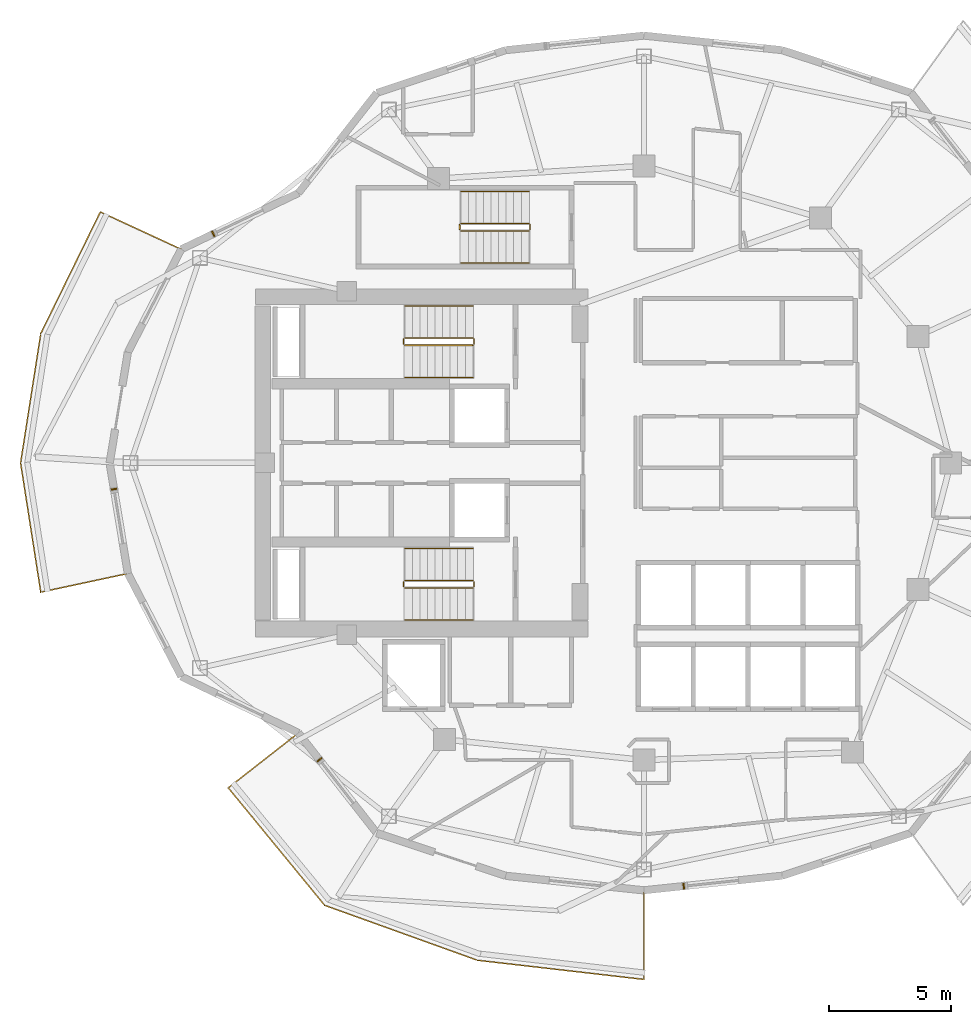
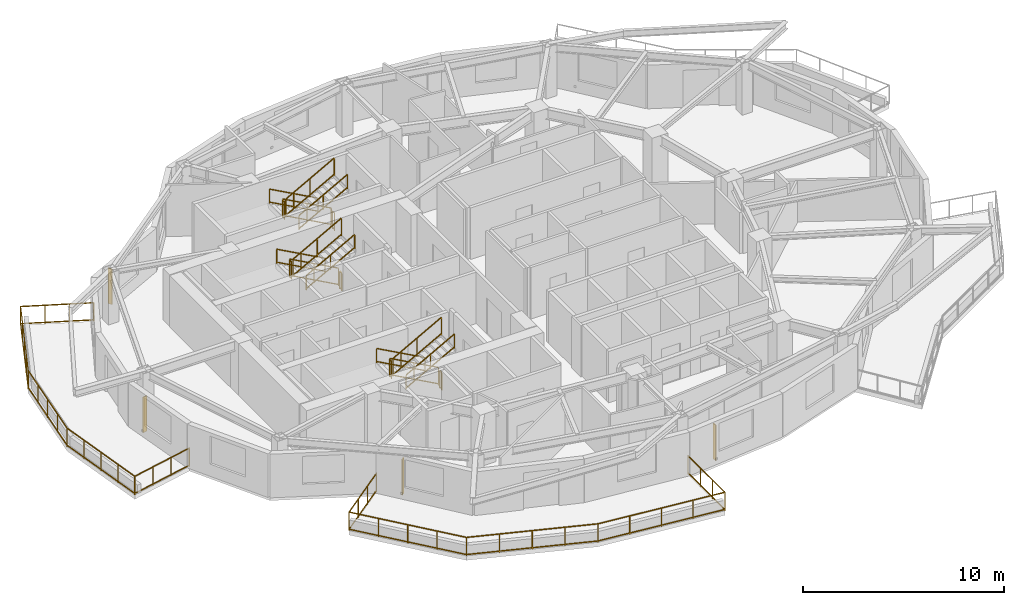
# One storey, part 8 of 10: 20 railings, 4 shading devices.
"""IFC4 building model written with IfcOpenShell, lengths in metres."""

from ifc_helpers import new_model, si_unit, direction, frame, origin, origin_2d, place, context, subcontext, project, spatial, rectangle, extrude, material, type_object, element, save


model = new_model("IFC4")

# Units and contexts
model_context = context("Model", 3, precision=1e-05, world=origin(), true_north=direction((0.0, 1.0)))
body_context = subcontext(model_context, "Body", "Model", "MODEL_VIEW")
ifc_project = project(units=[si_unit("LENGTHUNIT", "METRE"), si_unit("AREAUNIT", "SQUARE_METRE"), si_unit("VOLUMEUNIT", "CUBIC_METRE"), si_unit("PLANEANGLEUNIT", "RADIAN"), si_unit("MASSUNIT", "GRAM", prefix="KILO")], contexts=[model_context])

# Site, building, storey
site_placement = place(None, origin())
site = spatial("IfcSite", under=ifc_project, at=site_placement, CompositionType="ELEMENT")
building_placement = place(site_placement, origin())
building = spatial("IfcBuilding", under=site, at=building_placement, Name="Kolvaren Gate Tower and Convention Centre", CompositionType="ELEMENT")
storey_placement = place(building_placement, frame((0.0, 0.0, 152.89990234375)))
storey = spatial("IfcBuildingStorey", under=building, at=storey_placement, Name="L39", CompositionType="ELEMENT", Elevation=152.89990234375)

# Railings
ifc_material_1 = material(Name="Brushed Stainless Steel Grade 316L", Category="steel")
railing_type_1 = type_object("IfcRailingType", Name="ARCH-RL-GUARD-1150", PredefinedType="GUARDRAIL", material=ifc_material_1)
railing_1_placement = place(storey_placement, frame((23.10009765625, 32.1298828125, 0.170166015625)))
element("IfcRailing", 1, at=railing_1_placement, inside=storey, type_object=railing_type_1, Name="L39 ST-T1 stair guard 1", PredefinedType="GUARDRAIL", context=body_context, shape_type="SweptSolid", body=[
    extrude(rectangle(XDim=0.048095703125, YDim=0.048095703125, at=origin_2d()), frame((0.0, 0.0, 1.076171875), z_axis=(-0.876811365212, 0.0, 0.480834513982), x_axis=(0.0, -1.0, 0.0)), (0.0, 0.0, 1.0), 3.18212890625),
    extrude(rectangle(XDim=0.048095703125, YDim=0.048095703125, at=origin_2d()), frame((0.0, 0.0, 0.083984375), z_axis=(-0.876811365212, 0.0, 0.480834513982), x_axis=(0.0, -1.0, 0.0)), (0.0, 0.0, 1.0), 3.18212890625),
    extrude(rectangle(XDim=0.0419921875, YDim=0.0419921875, at=origin_2d()), origin(), (0.0, 0.0, 1.0), 1.050048828125),
    extrude(rectangle(XDim=0.0419921875, YDim=0.0419921875, at=origin_2d()), frame((-2.7900390625, 0.0, 1.530029296875)), (0.0, 0.0, 1.0), 1.050048828125),
    extrude(rectangle(XDim=0.0419921875, YDim=0.0419921875, at=origin_2d()), frame((-1.39501953125, 0.0, 0.76513671875)), (0.0, 0.0, 1.0), 1.050048828125),
])
railing_2_placement = place(storey_placement, frame((20.260009765625, 32.080078125, 1.7001953125)))
element("IfcRailing", 2, at=railing_2_placement, inside=storey, type_object=railing_type_1, Name="L39 ST-T1 stair guard 2", PredefinedType="GUARDRAIL", context=body_context, shape_type="SweptSolid", body=[
    extrude(rectangle(XDim=0.048095703125, YDim=0.048095703125, at=origin_2d()), frame((0.0, 0.0, 1.076171875), z_axis=(0.0, -1.0, 0.0), x_axis=(1.0, 0.0, 0.0)), (0.0, 0.0, 1.0), 0.2001953125),
    extrude(rectangle(XDim=0.048095703125, YDim=0.048095703125, at=origin_2d()), frame((0.0, 0.0, 0.083984375), z_axis=(0.0, -1.0, 0.0), x_axis=(1.0, 0.0, 0.0)), (0.0, 0.0, 1.0), 0.2001953125),
    extrude(rectangle(XDim=0.0419921875, YDim=0.0419921875, at=origin_2d()), origin(), (0.0, 0.0, 1.0), 1.050048828125),
    extrude(rectangle(XDim=0.0419921875, YDim=0.0419921875, at=origin_2d()), frame((0.0, -0.2001953125, 0.0)), (0.0, 0.0, 1.0), 1.050048828125),
])
railing_3_placement = place(storey_placement, frame((20.31005859375, 31.830078125, 1.8701171875)))
element("IfcRailing", 3, at=railing_3_placement, inside=storey, type_object=railing_type_1, Name="L39 ST-T1 stair guard 3", PredefinedType="GUARDRAIL", context=body_context, shape_type="SweptSolid", body=[
    extrude(rectangle(XDim=0.048095703125, YDim=0.048095703125, at=origin_2d()), frame((0.0, 0.0, 1.076171875), z_axis=(0.876811365212, 0.0, 0.480834513982), x_axis=(0.0, 1.0, 0.0)), (0.0, 0.0, 1.0), 3.18212890625),
    extrude(rectangle(XDim=0.048095703125, YDim=0.048095703125, at=origin_2d()), frame((0.0, 0.0, 0.083984375), z_axis=(0.876811365212, 0.0, 0.480834513982), x_axis=(0.0, 1.0, 0.0)), (0.0, 0.0, 1.0), 3.18212890625),
    extrude(rectangle(XDim=0.0419921875, YDim=0.0419921875, at=origin_2d()), origin(), (0.0, 0.0, 1.0), 1.050048828125),
    extrude(rectangle(XDim=0.0419921875, YDim=0.0419921875, at=origin_2d()), frame((2.7900390625, 0.0, 1.530029296875)), (0.0, 0.0, 1.0), 1.050048828125),
    extrude(rectangle(XDim=0.0419921875, YDim=0.0419921875, at=origin_2d()), frame((1.39501953125, 0.0, 0.76513671875)), (0.0, 0.0, 1.0), 1.050048828125),
])
railing_4_placement = place(storey_placement, frame((23.14990234375, 32.080078125, 0.0)))
element("IfcRailing", 4, at=railing_4_placement, inside=storey, type_object=railing_type_1, Name="L39 ST-T1 stair guard 4", PredefinedType="GUARDRAIL", context=body_context, shape_type="SweptSolid", body=[
    extrude(rectangle(XDim=0.048095703125, YDim=0.048095703125, at=origin_2d()), frame((0.0, 0.0, 1.076171875), z_axis=(0.0, -1.0, 0.0), x_axis=(1.0, 0.0, 0.0)), (0.0, 0.0, 1.0), 0.2001953125),
    extrude(rectangle(XDim=0.048095703125, YDim=0.048095703125, at=origin_2d()), frame((0.0, 0.0, 0.083984375), z_axis=(0.0, -1.0, 0.0), x_axis=(1.0, 0.0, 0.0)), (0.0, 0.0, 1.0), 0.2001953125),
    extrude(rectangle(XDim=0.0419921875, YDim=0.0419921875, at=origin_2d()), origin(), (0.0, 0.0, 1.0), 1.050048828125),
    extrude(rectangle(XDim=0.0419921875, YDim=0.0419921875, at=origin_2d()), frame((0.0, -0.2001953125, 0.0)), (0.0, 0.0, 1.0), 1.050048828125),
])
railing_5_placement = place(storey_placement, frame((23.10009765625, 22.169921875, 0.170166015625)))
element("IfcRailing", 5, at=railing_5_placement, inside=storey, type_object=railing_type_1, Name="L39 ST-T2 stair guard 1", PredefinedType="GUARDRAIL", context=body_context, shape_type="SweptSolid", body=[
    extrude(rectangle(XDim=0.048095703125, YDim=0.048095703125, at=origin_2d()), frame((0.0, 0.0, 1.076171875), z_axis=(-0.876811365212, 0.0, 0.480834513982), x_axis=(0.0, -1.0, 0.0)), (0.0, 0.0, 1.0), 3.18212890625),
    extrude(rectangle(XDim=0.048095703125, YDim=0.048095703125, at=origin_2d()), frame((0.0, 0.0, 0.083984375), z_axis=(-0.876811365212, 0.0, 0.480834513982), x_axis=(0.0, -1.0, 0.0)), (0.0, 0.0, 1.0), 3.18212890625),
    extrude(rectangle(XDim=0.0419921875, YDim=0.0419921875, at=origin_2d()), origin(), (0.0, 0.0, 1.0), 1.050048828125),
    extrude(rectangle(XDim=0.0419921875, YDim=0.0419921875, at=origin_2d()), frame((-2.7900390625, 0.0, 1.530029296875)), (0.0, 0.0, 1.0), 1.050048828125),
    extrude(rectangle(XDim=0.0419921875, YDim=0.0419921875, at=origin_2d()), frame((-1.39501953125, 0.0, 0.76513671875)), (0.0, 0.0, 1.0), 1.050048828125),
])
railing_6_placement = place(storey_placement, frame((20.260009765625, 22.1201171875, 1.7001953125)))
element("IfcRailing", 6, at=railing_6_placement, inside=storey, type_object=railing_type_1, Name="L39 ST-T2 stair guard 2", PredefinedType="GUARDRAIL", context=body_context, shape_type="SweptSolid", body=[
    extrude(rectangle(XDim=0.048095703125, YDim=0.048095703125, at=origin_2d()), frame((0.0, 0.0, 1.076171875), z_axis=(0.0, -1.0, 0.0), x_axis=(1.0, 0.0, 0.0)), (0.0, 0.0, 1.0), 0.2001953125),
    extrude(rectangle(XDim=0.048095703125, YDim=0.048095703125, at=origin_2d()), frame((0.0, 0.0, 0.083984375), z_axis=(0.0, -1.0, 0.0), x_axis=(1.0, 0.0, 0.0)), (0.0, 0.0, 1.0), 0.2001953125),
    extrude(rectangle(XDim=0.0419921875, YDim=0.0419921875, at=origin_2d()), origin(), (0.0, 0.0, 1.0), 1.050048828125),
    extrude(rectangle(XDim=0.0419921875, YDim=0.0419921875, at=origin_2d()), frame((0.0, -0.2001953125, 0.0)), (0.0, 0.0, 1.0), 1.050048828125),
])
railing_7_placement = place(storey_placement, frame((20.31005859375, 21.8701171875, 1.8701171875)))
element("IfcRailing", 7, at=railing_7_placement, inside=storey, type_object=railing_type_1, Name="L39 ST-T2 stair guard 3", PredefinedType="GUARDRAIL", context=body_context, shape_type="SweptSolid", body=[
    extrude(rectangle(XDim=0.048095703125, YDim=0.048095703125, at=origin_2d()), frame((0.0, 0.0, 1.076171875), z_axis=(0.876811365212, 0.0, 0.480834513982), x_axis=(0.0, 1.0, 0.0)), (0.0, 0.0, 1.0), 3.18212890625),
    extrude(rectangle(XDim=0.048095703125, YDim=0.048095703125, at=origin_2d()), frame((0.0, 0.0, 0.083984375), z_axis=(0.876811365212, 0.0, 0.480834513982), x_axis=(0.0, 1.0, 0.0)), (0.0, 0.0, 1.0), 3.18212890625),
    extrude(rectangle(XDim=0.0419921875, YDim=0.0419921875, at=origin_2d()), origin(), (0.0, 0.0, 1.0), 1.050048828125),
    extrude(rectangle(XDim=0.0419921875, YDim=0.0419921875, at=origin_2d()), frame((2.7900390625, 0.0, 1.530029296875)), (0.0, 0.0, 1.0), 1.050048828125),
    extrude(rectangle(XDim=0.0419921875, YDim=0.0419921875, at=origin_2d()), frame((1.39501953125, 0.0, 0.76513671875)), (0.0, 0.0, 1.0), 1.050048828125),
])
railing_8_placement = place(storey_placement, frame((23.14990234375, 22.1201171875, 0.0)))
element("IfcRailing", 8, at=railing_8_placement, inside=storey, type_object=railing_type_1, Name="L39 ST-T2 stair guard 4", PredefinedType="GUARDRAIL", context=body_context, shape_type="SweptSolid", body=[
    extrude(rectangle(XDim=0.048095703125, YDim=0.048095703125, at=origin_2d()), frame((0.0, 0.0, 1.076171875), z_axis=(0.0, -1.0, 0.0), x_axis=(1.0, 0.0, 0.0)), (0.0, 0.0, 1.0), 0.2001953125),
    extrude(rectangle(XDim=0.048095703125, YDim=0.048095703125, at=origin_2d()), frame((0.0, 0.0, 0.083984375), z_axis=(0.0, -1.0, 0.0), x_axis=(1.0, 0.0, 0.0)), (0.0, 0.0, 1.0), 0.2001953125),
    extrude(rectangle(XDim=0.0419921875, YDim=0.0419921875, at=origin_2d()), origin(), (0.0, 0.0, 1.0), 1.050048828125),
    extrude(rectangle(XDim=0.0419921875, YDim=0.0419921875, at=origin_2d()), frame((0.0, -0.2001953125, 0.0)), (0.0, 0.0, 1.0), 1.050048828125),
])
railing_9_placement = place(storey_placement, frame((25.39990234375, 36.830078125, 0.170166015625)))
element("IfcRailing", 9, at=railing_9_placement, inside=storey, type_object=railing_type_1, Name="L39 ST-T3 stair guard 1", PredefinedType="GUARDRAIL", context=body_context, shape_type="SweptSolid", body=[
    extrude(rectangle(XDim=0.048095703125, YDim=0.048095703125, at=origin_2d()), frame((0.0, 0.0, 1.076171875), z_axis=(-0.8767936245, 0.0, 0.480866863109), x_axis=(0.0, -1.0, 0.0)), (0.0, 0.0, 1.0), 3.181884765625),
    extrude(rectangle(XDim=0.048095703125, YDim=0.048095703125, at=origin_2d()), frame((0.0, 0.0, 0.083984375), z_axis=(-0.8767936245, 0.0, 0.480866863109), x_axis=(0.0, -1.0, 0.0)), (0.0, 0.0, 1.0), 3.181884765625),
    extrude(rectangle(XDim=0.0419921875, YDim=0.0419921875, at=origin_2d()), origin(), (0.0, 0.0, 1.0), 1.050048828125),
    extrude(rectangle(XDim=0.0419921875, YDim=0.0419921875, at=origin_2d()), frame((-2.789794921875, 0.0, 1.530029296875)), (0.0, 0.0, 1.0), 1.050048828125),
    extrude(rectangle(XDim=0.0419921875, YDim=0.0419921875, at=origin_2d()), frame((-1.39501953125, 0.0, 0.76513671875)), (0.0, 0.0, 1.0), 1.050048828125),
])
railing_10_placement = place(storey_placement, frame((22.56005859375, 36.780029296875, 1.7001953125)))
element("IfcRailing", 10, at=railing_10_placement, inside=storey, type_object=railing_type_1, Name="L39 ST-T3 stair guard 2", PredefinedType="GUARDRAIL", context=body_context, shape_type="SweptSolid", body=[
    extrude(rectangle(XDim=0.048095703125, YDim=0.048095703125, at=origin_2d()), frame((0.0, 0.0, 1.076171875), z_axis=(0.0, -1.0, 0.0), x_axis=(1.0, 0.0, 0.0)), (0.0, 0.0, 1.0), 0.199951171875),
    extrude(rectangle(XDim=0.048095703125, YDim=0.048095703125, at=origin_2d()), frame((0.0, 0.0, 0.083984375), z_axis=(0.0, -1.0, 0.0), x_axis=(1.0, 0.0, 0.0)), (0.0, 0.0, 1.0), 0.199951171875),
    extrude(rectangle(XDim=0.0419921875, YDim=0.0419921875, at=origin_2d()), origin(), (0.0, 0.0, 1.0), 1.050048828125),
    extrude(rectangle(XDim=0.0419921875, YDim=0.0419921875, at=origin_2d()), frame((0.0, -0.199951171875, 0.0)), (0.0, 0.0, 1.0), 1.050048828125),
])
railing_11_placement = place(storey_placement, frame((22.610107421875, 36.530029296875, 1.8701171875)))
element("IfcRailing", 11, at=railing_11_placement, inside=storey, type_object=railing_type_1, Name="L39 ST-T3 stair guard 3", PredefinedType="GUARDRAIL", context=body_context, shape_type="SweptSolid", body=[
    extrude(rectangle(XDim=0.048095703125, YDim=0.048095703125, at=origin_2d()), frame((0.0, 0.0, 1.076171875), z_axis=(0.8767936245, 0.0, 0.480866863109), x_axis=(0.0, 1.0, 0.0)), (0.0, 0.0, 1.0), 3.181884765625),
    extrude(rectangle(XDim=0.048095703125, YDim=0.048095703125, at=origin_2d()), frame((0.0, 0.0, 0.083984375), z_axis=(0.8767936245, 0.0, 0.480866863109), x_axis=(0.0, 1.0, 0.0)), (0.0, 0.0, 1.0), 3.181884765625),
    extrude(rectangle(XDim=0.0419921875, YDim=0.0419921875, at=origin_2d()), origin(), (0.0, 0.0, 1.0), 1.050048828125),
    extrude(rectangle(XDim=0.0419921875, YDim=0.0419921875, at=origin_2d()), frame((2.789794921875, 0.0, 1.530029296875)), (0.0, 0.0, 1.0), 1.050048828125),
    extrude(rectangle(XDim=0.0419921875, YDim=0.0419921875, at=origin_2d()), frame((1.39501953125, 0.0, 0.76513671875)), (0.0, 0.0, 1.0), 1.050048828125),
])
railing_12_placement = place(storey_placement, frame((25.449951171875, 36.780029296875, 0.0)))
element("IfcRailing", 12, at=railing_12_placement, inside=storey, type_object=railing_type_1, Name="L39 ST-T3 stair guard 4", PredefinedType="GUARDRAIL", context=body_context, shape_type="SweptSolid", body=[
    extrude(rectangle(XDim=0.048095703125, YDim=0.048095703125, at=origin_2d()), frame((0.0, 0.0, 1.076171875), z_axis=(0.0, -1.0, 0.0), x_axis=(1.0, 0.0, 0.0)), (0.0, 0.0, 1.0), 0.199951171875),
    extrude(rectangle(XDim=0.048095703125, YDim=0.048095703125, at=origin_2d()), frame((0.0, 0.0, 0.083984375), z_axis=(0.0, -1.0, 0.0), x_axis=(1.0, 0.0, 0.0)), (0.0, 0.0, 1.0), 0.199951171875),
    extrude(rectangle(XDim=0.0419921875, YDim=0.0419921875, at=origin_2d()), origin(), (0.0, 0.0, 1.0), 1.050048828125),
    extrude(rectangle(XDim=0.0419921875, YDim=0.0419921875, at=origin_2d()), frame((0.0, -0.199951171875, 0.0)), (0.0, 0.0, 1.0), 1.050048828125),
])
railing_13_placement = place(storey_placement, frame((11.126708984375, 35.77490234375, 0.0)))
element("IfcRailing", 13, at=railing_13_placement, inside=storey, type_object=railing_type_1, Name="Tower L39 Terrace Perimeter Guardrail GR-2", PredefinedType="GUARDRAIL", context=body_context, shape_type="SweptSolid", body=[
    extrude(rectangle(XDim=0.048095703125, YDim=0.048095703125, at=origin_2d()), frame((-0.025390625, 0.01171875, 1.1259765625), z_axis=(-0.907820723829, 0.419358478377, 0.0), x_axis=(-0.419358478377, -0.907820723829, 0.0)), (0.0, 0.0, 1.0), 3.60400390625),
    extrude(rectangle(XDim=0.048095703125, YDim=0.048095703125, at=origin_2d()), frame((-0.025390625, 0.01171875, 0.083984375), z_axis=(-0.907820723829, 0.419358478377, 0.0), x_axis=(-0.419358478377, -0.907820723829, 0.0)), (0.0, 0.0, 1.0), 3.60400390625),
    extrude(rectangle(XDim=0.048095703125, YDim=0.048095703125, at=origin_2d()), frame((-3.335205078125, 1.509765625, 1.1259765625), z_axis=(-0.439655234701, -0.898166618507, 0.0), x_axis=(0.898166618507, -0.439655234701, 0.0)), (0.0, 0.0, 1.0), 5.51123046875),
    extrude(rectangle(XDim=0.048095703125, YDim=0.048095703125, at=origin_2d()), frame((-3.335205078125, 1.509765625, 0.083984375), z_axis=(-0.439655234701, -0.898166618507, 0.0), x_axis=(0.898166618507, -0.439655234701, 0.0)), (0.0, 0.0, 1.0), 5.51123046875),
    extrude(rectangle(XDim=0.048095703125, YDim=0.048095703125, at=origin_2d()), frame((-5.77490234375, -3.493408203125, 1.1259765625), z_axis=(-0.154200861408, -0.988039520637, 0.0), x_axis=(0.988039520637, -0.154200861408, 0.0)), (0.0, 0.0, 1.0), 5.3173828125),
    extrude(rectangle(XDim=0.048095703125, YDim=0.048095703125, at=origin_2d()), frame((-5.77490234375, -3.493408203125, 0.083984375), z_axis=(-0.154200861408, -0.988039520637, 0.0), x_axis=(0.988039520637, -0.154200861408, 0.0)), (0.0, 0.0, 1.0), 5.3173828125),
    extrude(rectangle(XDim=0.048095703125, YDim=0.048095703125, at=origin_2d()), frame((-6.5947265625, -8.802734375, 1.1259765625), z_axis=(0.154200861408, -0.988039520637, 0.0), x_axis=(0.988039520637, 0.154200861408, 0.0)), (0.0, 0.0, 1.0), 5.3173828125),
    extrude(rectangle(XDim=0.048095703125, YDim=0.048095703125, at=origin_2d()), frame((-6.5947265625, -8.802734375, 0.083984375), z_axis=(0.154200861408, -0.988039520637, 0.0), x_axis=(0.988039520637, 0.154200861408, 0.0)), (0.0, 0.0, 1.0), 5.3173828125),
    extrude(rectangle(XDim=0.048095703125, YDim=0.048095703125, at=origin_2d()), frame((-5.7431640625, -14.078369140625, 1.1259765625), z_axis=(0.977791675321, 0.209579196661, 0.0), x_axis=(-0.209579196661, 0.977791675321, 0.0)), (0.0, 0.0, 1.0), 3.60400390625),
    extrude(rectangle(XDim=0.048095703125, YDim=0.048095703125, at=origin_2d()), frame((-5.7431640625, -14.078369140625, 0.083984375), z_axis=(0.977791675321, 0.209579196661, 0.0), x_axis=(-0.209579196661, 0.977791675321, 0.0)), (0.0, 0.0, 1.0), 3.60400390625),
    extrude(rectangle(XDim=0.0419921875, YDim=0.0419921875, at=origin_2d()), origin(), (0.0, 0.0, 1.0), 1.14990234375),
    extrude(rectangle(XDim=0.0419921875, YDim=0.0419921875, at=origin_2d()), frame((-3.32275390625, 1.534912109375, 0.0)), (0.0, 0.0, 1.0), 1.14990234375),
    extrude(rectangle(XDim=0.0419921875, YDim=0.0419921875, at=origin_2d()), frame((-1.107666015625, 0.51171875, 0.0)), (0.0, 0.0, 1.0), 1.099853515625),
    extrude(rectangle(XDim=0.0419921875, YDim=0.0419921875, at=origin_2d()), frame((-2.215087890625, 1.023193359375, 0.0)), (0.0, 0.0, 1.0), 1.099853515625),
    extrude(rectangle(XDim=0.0419921875, YDim=0.0419921875, at=origin_2d()), frame((-5.7705078125, -3.465576171875, 0.0)), (0.0, 0.0, 1.0), 1.14990234375),
    extrude(rectangle(XDim=0.0419921875, YDim=0.0419921875, at=origin_2d()), frame((-3.9345703125, 0.28466796875, 0.0)), (0.0, 0.0, 1.0), 1.099853515625),
    extrude(rectangle(XDim=0.0419921875, YDim=0.0419921875, at=origin_2d()), frame((-4.546630859375, -0.96533203125, 0.0)), (0.0, 0.0, 1.0), 1.099853515625),
    extrude(rectangle(XDim=0.0419921875, YDim=0.0419921875, at=origin_2d()), frame((-5.15869140625, -2.21533203125, 0.0)), (0.0, 0.0, 1.0), 1.099853515625),
    extrude(rectangle(XDim=0.0419921875, YDim=0.0419921875, at=origin_2d()), frame((-6.59912109375, -8.77490234375, 0.0)), (0.0, 0.0, 1.0), 1.14990234375),
    extrude(rectangle(XDim=0.0419921875, YDim=0.0419921875, at=origin_2d()), frame((-5.9775390625, -4.79296875, 0.0)), (0.0, 0.0, 1.0), 1.099853515625),
    extrude(rectangle(XDim=0.0419921875, YDim=0.0419921875, at=origin_2d()), frame((-6.184814453125, -6.1201171875, 0.0)), (0.0, 0.0, 1.0), 1.099853515625),
    extrude(rectangle(XDim=0.0419921875, YDim=0.0419921875, at=origin_2d()), frame((-6.39208984375, -7.447509765625, 0.0)), (0.0, 0.0, 1.0), 1.099853515625),
    extrude(rectangle(XDim=0.0419921875, YDim=0.0419921875, at=origin_2d()), frame((-5.7705078125, -14.084228515625, 0.0)), (0.0, 0.0, 1.0), 1.14990234375),
    extrude(rectangle(XDim=0.0419921875, YDim=0.0419921875, at=origin_2d()), frame((-6.39208984375, -10.102294921875, 0.0)), (0.0, 0.0, 1.0), 1.099853515625),
    extrude(rectangle(XDim=0.0419921875, YDim=0.0419921875, at=origin_2d()), frame((-6.184814453125, -11.4296875, 0.0)), (0.0, 0.0, 1.0), 1.099853515625),
    extrude(rectangle(XDim=0.0419921875, YDim=0.0419921875, at=origin_2d()), frame((-5.9775390625, -12.7568359375, 0.0)), (0.0, 0.0, 1.0), 1.099853515625),
    extrude(rectangle(XDim=0.0419921875, YDim=0.0419921875, at=origin_2d()), frame((-2.191650390625, -13.317138671875, 0.0)), (0.0, 0.0, 1.0), 1.14990234375),
    extrude(rectangle(XDim=0.0419921875, YDim=0.0419921875, at=origin_2d()), frame((-4.57763671875, -13.82861328125, 0.0)), (0.0, 0.0, 1.0), 1.099853515625),
    extrude(rectangle(XDim=0.0419921875, YDim=0.0419921875, at=origin_2d()), frame((-3.384521484375, -13.57275390625, 0.0)), (0.0, 0.0, 1.0), 1.099853515625),
])
railing_14_placement = place(storey_placement, frame((15.9365234375, 15.9140625, 0.0)))
element("IfcRailing", 14, at=railing_14_placement, inside=storey, type_object=railing_type_1, Name="Tower L39 Terrace Perimeter Guardrail GR-3", PredefinedType="GUARDRAIL", context=body_context, shape_type="SweptSolid", body=[
    extrude(rectangle(XDim=0.048095703125, YDim=0.048095703125, at=origin_2d()), frame((-0.022216796875, -0.017333984375, 1.1259765625), z_axis=(-0.787988976981, -0.61568934712, 0.0), x_axis=(0.61568934712, -0.787988976981, 0.0)), (0.0, 0.0, 1.0), 3.60400390625),
    extrude(rectangle(XDim=0.048095703125, YDim=0.048095703125, at=origin_2d()), frame((-0.022216796875, -0.017333984375, 0.083984375), z_axis=(-0.787988976981, -0.61568934712, 0.0), x_axis=(0.61568934712, -0.787988976981, 0.0)), (0.0, 0.0, 1.0), 3.60400390625),
    extrude(rectangle(XDim=0.048095703125, YDim=0.048095703125, at=origin_2d()), frame((-2.8662109375, -2.275146484375, 1.1259765625), z_axis=(0.634429234628, -0.77298094818, 0.0), x_axis=(0.77298094818, 0.634429234628, 0.0)), (0.0, 0.0, 1.0), 6.188720703125),
    extrude(rectangle(XDim=0.048095703125, YDim=0.048095703125, at=origin_2d()), frame((-2.8662109375, -2.275146484375, 0.083984375), z_axis=(0.634429234628, -0.77298094818, 0.0), x_axis=(0.77298094818, 0.634429234628, 0.0)), (0.0, 0.0, 1.0), 6.188720703125),
    extrude(rectangle(XDim=0.048095703125, YDim=0.048095703125, at=origin_2d()), frame((1.104248046875, -7.090087890625, 1.1259765625), z_axis=(0.940948576924, -0.338549517184, 0.0), x_axis=(0.338549517184, 0.940948576924, 0.0)), (0.0, 0.0, 1.0), 6.60791015625),
    extrude(rectangle(XDim=0.048095703125, YDim=0.048095703125, at=origin_2d()), frame((1.104248046875, -7.090087890625, 0.083984375), z_axis=(0.940948576924, -0.338549517184, 0.0), x_axis=(0.338549517184, 0.940948576924, 0.0)), (0.0, 0.0, 1.0), 6.60791015625),
    extrude(rectangle(XDim=0.048095703125, YDim=0.048095703125, at=origin_2d()), frame((7.376220703125, -9.33984375, 1.1259765625), z_axis=(0.993440112849, -0.114353584036, 0.0), x_axis=(0.114353584036, 0.993440112849, 0.0)), (0.0, 0.0, 1.0), 6.8291015625),
    extrude(rectangle(XDim=0.048095703125, YDim=0.048095703125, at=origin_2d()), frame((7.376220703125, -9.33984375, 0.083984375), z_axis=(0.993440112849, -0.114353584036, 0.0), x_axis=(0.114353584036, 0.993440112849, 0.0)), (0.0, 0.0, 1.0), 6.8291015625),
    extrude(rectangle(XDim=0.048095703125, YDim=0.048095703125, at=origin_2d()), frame((14.1884765625, -10.095947265625, 1.1259765625), z_axis=(0.0, 1.0, 0.0), x_axis=(-1.0, 0.0, 0.0)), (0.0, 0.0, 1.0), 3.603759765625),
    extrude(rectangle(XDim=0.048095703125, YDim=0.048095703125, at=origin_2d()), frame((14.1884765625, -10.095947265625, 0.083984375), z_axis=(0.0, 1.0, 0.0), x_axis=(-1.0, 0.0, 0.0)), (0.0, 0.0, 1.0), 3.603759765625),
    extrude(rectangle(XDim=0.0419921875, YDim=0.0419921875, at=origin_2d()), origin(), (0.0, 0.0, 1.0), 1.14990234375),
    extrude(rectangle(XDim=0.0419921875, YDim=0.0419921875, at=origin_2d()), frame((-2.884033203125, -2.25341796875, 0.0)), (0.0, 0.0, 1.0), 1.14990234375),
    extrude(rectangle(XDim=0.0419921875, YDim=0.0419921875, at=origin_2d()), frame((-0.96142578125, -0.751220703125, 0.0)), (0.0, 0.0, 1.0), 1.099853515625),
    extrude(rectangle(XDim=0.0419921875, YDim=0.0419921875, at=origin_2d()), frame((-1.922607421875, -1.502197265625, 0.0)), (0.0, 0.0, 1.0), 1.099853515625),
    extrude(rectangle(XDim=0.0419921875, YDim=0.0419921875, at=origin_2d()), frame((1.077880859375, -7.08056640625, 0.0)), (0.0, 0.0, 1.0), 1.14990234375),
    extrude(rectangle(XDim=0.0419921875, YDim=0.0419921875, at=origin_2d()), frame((-1.8935546875, -3.460205078125, 0.0)), (0.0, 0.0, 1.0), 1.099853515625),
    extrude(rectangle(XDim=0.0419921875, YDim=0.0419921875, at=origin_2d()), frame((-0.903076171875, -4.6669921875, 0.0)), (0.0, 0.0, 1.0), 1.099853515625),
    extrude(rectangle(XDim=0.0419921875, YDim=0.0419921875, at=origin_2d()), frame((0.08740234375, -5.873779296875, 0.0)), (0.0, 0.0, 1.0), 1.099853515625),
    extrude(rectangle(XDim=0.0419921875, YDim=0.0419921875, at=origin_2d()), frame((7.348388671875, -9.336669921875, 0.0)), (0.0, 0.0, 1.0), 1.14990234375),
    extrude(rectangle(XDim=0.0419921875, YDim=0.0419921875, at=origin_2d()), frame((2.6455078125, -7.64453125, 0.0)), (0.0, 0.0, 1.0), 1.099853515625),
    extrude(rectangle(XDim=0.0419921875, YDim=0.0419921875, at=origin_2d()), frame((4.213134765625, -8.20849609375, 0.0)), (0.0, 0.0, 1.0), 1.099853515625),
    extrude(rectangle(XDim=0.0419921875, YDim=0.0419921875, at=origin_2d()), frame((5.78076171875, -8.772705078125, 0.0)), (0.0, 0.0, 1.0), 1.099853515625),
    extrude(rectangle(XDim=0.0419921875, YDim=0.0419921875, at=origin_2d()), frame((14.1884765625, -10.1240234375, 0.0)), (0.0, 0.0, 1.0), 1.14990234375),
    extrude(rectangle(XDim=0.0419921875, YDim=0.0419921875, at=origin_2d()), frame((9.058349609375, -9.533447265625, 0.0)), (0.0, 0.0, 1.0), 1.099853515625),
    extrude(rectangle(XDim=0.0419921875, YDim=0.0419921875, at=origin_2d()), frame((10.7685546875, -9.73046875, 0.0)), (0.0, 0.0, 1.0), 1.099853515625),
    extrude(rectangle(XDim=0.0419921875, YDim=0.0419921875, at=origin_2d()), frame((12.478515625, -9.92724609375, 0.0)), (0.0, 0.0, 1.0), 1.099853515625),
    extrude(rectangle(XDim=0.0419921875, YDim=0.0419921875, at=origin_2d()), frame((14.1884765625, -6.464111328125, 0.0)), (0.0, 0.0, 1.0), 1.14990234375),
    extrude(rectangle(XDim=0.0419921875, YDim=0.0419921875, at=origin_2d()), frame((14.1884765625, -8.904052734375, 0.0)), (0.0, 0.0, 1.0), 1.099853515625),
    extrude(rectangle(XDim=0.0419921875, YDim=0.0419921875, at=origin_2d()), frame((14.1884765625, -7.68408203125, 0.0)), (0.0, 0.0, 1.0), 1.099853515625),
])
railing_type_2 = type_object("IfcRailingType", Name="ARCH-RL-HANDRAIL-920", PredefinedType="HANDRAIL", material=ifc_material_1)
railing_15_placement = place(storey_placement, frame((23.10009765625, 33.449951171875, 0.170166015625)))
element("IfcRailing", 15, at=railing_15_placement, inside=storey, type_object=railing_type_2, Name="L39 ST-T1 stair handrail 1", PredefinedType="HANDRAIL", context=body_context, shape_type="SweptSolid", body=[
    extrude(rectangle(XDim=0.048095703125, YDim=0.048095703125, at=origin_2d()), frame((0.0, 0.0, 0.8759765625), z_axis=(-0.876811365212, 0.0, 0.480834513982), x_axis=(0.0, -1.0, 0.0)), (0.0, 0.0, 1.0), 3.18212890625),
    extrude(rectangle(XDim=0.048095703125, YDim=0.048095703125, at=origin_2d()), frame((0.0, 0.0, 0.083984375), z_axis=(-0.876811365212, 0.0, 0.480834513982), x_axis=(0.0, -1.0, 0.0)), (0.0, 0.0, 1.0), 3.18212890625),
    extrude(rectangle(XDim=0.0419921875, YDim=0.0419921875, at=origin_2d()), origin(), (0.0, 0.0, 1.0), 0.849853515625),
    extrude(rectangle(XDim=0.0419921875, YDim=0.0419921875, at=origin_2d()), frame((-2.7900390625, 0.0, 1.530029296875)), (0.0, 0.0, 1.0), 0.849853515625),
    extrude(rectangle(XDim=0.0419921875, YDim=0.0419921875, at=origin_2d()), frame((-1.39501953125, 0.0, 0.76513671875)), (0.0, 0.0, 1.0), 0.849853515625),
])
railing_16_placement = place(storey_placement, frame((20.31005859375, 30.510009765625, 1.8701171875)))
element("IfcRailing", 16, at=railing_16_placement, inside=storey, type_object=railing_type_2, Name="L39 ST-T1 stair handrail 2", PredefinedType="HANDRAIL", context=body_context, shape_type="SweptSolid", body=[
    extrude(rectangle(XDim=0.048095703125, YDim=0.048095703125, at=origin_2d()), frame((0.0, 0.0, 0.8759765625), z_axis=(0.876811365212, 0.0, 0.480834513982), x_axis=(0.0, 1.0, 0.0)), (0.0, 0.0, 1.0), 3.18212890625),
    extrude(rectangle(XDim=0.048095703125, YDim=0.048095703125, at=origin_2d()), frame((0.0, 0.0, 0.083984375), z_axis=(0.876811365212, 0.0, 0.480834513982), x_axis=(0.0, 1.0, 0.0)), (0.0, 0.0, 1.0), 3.18212890625),
    extrude(rectangle(XDim=0.0419921875, YDim=0.0419921875, at=origin_2d()), origin(), (0.0, 0.0, 1.0), 0.849853515625),
    extrude(rectangle(XDim=0.0419921875, YDim=0.0419921875, at=origin_2d()), frame((2.7900390625, 0.0, 1.530029296875)), (0.0, 0.0, 1.0), 0.849853515625),
    extrude(rectangle(XDim=0.0419921875, YDim=0.0419921875, at=origin_2d()), frame((1.39501953125, 0.0, 0.76513671875)), (0.0, 0.0, 1.0), 0.849853515625),
])
railing_17_placement = place(storey_placement, frame((23.10009765625, 23.489990234375, 0.170166015625)))
element("IfcRailing", 17, at=railing_17_placement, inside=storey, type_object=railing_type_2, Name="L39 ST-T2 stair handrail 1", PredefinedType="HANDRAIL", context=body_context, shape_type="SweptSolid", body=[
    extrude(rectangle(XDim=0.048095703125, YDim=0.048095703125, at=origin_2d()), frame((0.0, 0.0, 0.8759765625), z_axis=(-0.876811365212, 0.0, 0.480834513982), x_axis=(0.0, -1.0, 0.0)), (0.0, 0.0, 1.0), 3.18212890625),
    extrude(rectangle(XDim=0.048095703125, YDim=0.048095703125, at=origin_2d()), frame((0.0, 0.0, 0.083984375), z_axis=(-0.876811365212, 0.0, 0.480834513982), x_axis=(0.0, -1.0, 0.0)), (0.0, 0.0, 1.0), 3.18212890625),
    extrude(rectangle(XDim=0.0419921875, YDim=0.0419921875, at=origin_2d()), origin(), (0.0, 0.0, 1.0), 0.849853515625),
    extrude(rectangle(XDim=0.0419921875, YDim=0.0419921875, at=origin_2d()), frame((-2.7900390625, 0.0, 1.530029296875)), (0.0, 0.0, 1.0), 0.849853515625),
    extrude(rectangle(XDim=0.0419921875, YDim=0.0419921875, at=origin_2d()), frame((-1.39501953125, 0.0, 0.76513671875)), (0.0, 0.0, 1.0), 0.849853515625),
])
railing_18_placement = place(storey_placement, frame((20.31005859375, 20.550048828125, 1.8701171875)))
element("IfcRailing", 18, at=railing_18_placement, inside=storey, type_object=railing_type_2, Name="L39 ST-T2 stair handrail 2", PredefinedType="HANDRAIL", context=body_context, shape_type="SweptSolid", body=[
    extrude(rectangle(XDim=0.048095703125, YDim=0.048095703125, at=origin_2d()), frame((0.0, 0.0, 0.8759765625), z_axis=(0.876811365212, 0.0, 0.480834513982), x_axis=(0.0, 1.0, 0.0)), (0.0, 0.0, 1.0), 3.18212890625),
    extrude(rectangle(XDim=0.048095703125, YDim=0.048095703125, at=origin_2d()), frame((0.0, 0.0, 0.083984375), z_axis=(0.876811365212, 0.0, 0.480834513982), x_axis=(0.0, 1.0, 0.0)), (0.0, 0.0, 1.0), 3.18212890625),
    extrude(rectangle(XDim=0.0419921875, YDim=0.0419921875, at=origin_2d()), origin(), (0.0, 0.0, 1.0), 0.849853515625),
    extrude(rectangle(XDim=0.0419921875, YDim=0.0419921875, at=origin_2d()), frame((2.7900390625, 0.0, 1.530029296875)), (0.0, 0.0, 1.0), 0.849853515625),
    extrude(rectangle(XDim=0.0419921875, YDim=0.0419921875, at=origin_2d()), frame((1.39501953125, 0.0, 0.76513671875)), (0.0, 0.0, 1.0), 0.849853515625),
])
railing_19_placement = place(storey_placement, frame((25.39990234375, 38.14990234375, 0.170166015625)))
element("IfcRailing", 19, at=railing_19_placement, inside=storey, type_object=railing_type_2, Name="L39 ST-T3 stair handrail 1", PredefinedType="HANDRAIL", context=body_context, shape_type="SweptSolid", body=[
    extrude(rectangle(XDim=0.048095703125, YDim=0.048095703125, at=origin_2d()), frame((0.0, 0.0, 0.8759765625), z_axis=(-0.8767936245, 0.0, 0.480866863109), x_axis=(0.0, -1.0, 0.0)), (0.0, 0.0, 1.0), 3.181884765625),
    extrude(rectangle(XDim=0.048095703125, YDim=0.048095703125, at=origin_2d()), frame((0.0, 0.0, 0.083984375), z_axis=(-0.8767936245, 0.0, 0.480866863109), x_axis=(0.0, -1.0, 0.0)), (0.0, 0.0, 1.0), 3.181884765625),
    extrude(rectangle(XDim=0.0419921875, YDim=0.0419921875, at=origin_2d()), origin(), (0.0, 0.0, 1.0), 0.849853515625),
    extrude(rectangle(XDim=0.0419921875, YDim=0.0419921875, at=origin_2d()), frame((-2.789794921875, 0.0, 1.530029296875)), (0.0, 0.0, 1.0), 0.849853515625),
    extrude(rectangle(XDim=0.0419921875, YDim=0.0419921875, at=origin_2d()), frame((-1.39501953125, 0.0, 0.76513671875)), (0.0, 0.0, 1.0), 0.849853515625),
])
railing_20_placement = place(storey_placement, frame((22.610107421875, 35.2099609375, 1.8701171875)))
element("IfcRailing", 20, at=railing_20_placement, inside=storey, type_object=railing_type_2, Name="L39 ST-T3 stair handrail 2", PredefinedType="HANDRAIL", context=body_context, shape_type="SweptSolid", body=[
    extrude(rectangle(XDim=0.048095703125, YDim=0.048095703125, at=origin_2d()), frame((0.0, 0.0, 0.8759765625), z_axis=(0.8767936245, 0.0, 0.480866863109), x_axis=(0.0, 1.0, 0.0)), (0.0, 0.0, 1.0), 3.181884765625),
    extrude(rectangle(XDim=0.048095703125, YDim=0.048095703125, at=origin_2d()), frame((0.0, 0.0, 0.083984375), z_axis=(0.8767936245, 0.0, 0.480866863109), x_axis=(0.0, 1.0, 0.0)), (0.0, 0.0, 1.0), 3.181884765625),
    extrude(rectangle(XDim=0.0419921875, YDim=0.0419921875, at=origin_2d()), origin(), (0.0, 0.0, 1.0), 0.849853515625),
    extrude(rectangle(XDim=0.0419921875, YDim=0.0419921875, at=origin_2d()), frame((2.789794921875, 0.0, 1.530029296875)), (0.0, 0.0, 1.0), 0.849853515625),
    extrude(rectangle(XDim=0.0419921875, YDim=0.0419921875, at=origin_2d()), frame((1.39501953125, 0.0, 0.76513671875)), (0.0, 0.0, 1.0), 0.849853515625),
])

# Shading devices
ifc_material_2 = material(Name="Kiln-Fired Bogota Terracotta Ceramic Louvre Profile", Category="masonry")
shading_device_type = type_object("IfcShadingDeviceType", Name="ARCH-SHD-FIN-180", PredefinedType="JALOUSIE", material=ifc_material_2)
for number, where, z_axis, x_axis, name in (
    (21, (12.44091796875, 36.406494140625, 0.22021484375), (0.0, 0.0, 1.0), (0.901358389955, 0.433073957723, 0.0), "Ceramic Vertical Brise-Soleil Fin FN-L39-09"),
    (22, (8.36474609375, 25.922607421875, 0.22021484375), (0.0, 0.0, 1.0), (0.162380568014, -0.986728205298, 0.0), "Ceramic Vertical Brise-Soleil Fin FN-L39-12"),
    (23, (16.80078125, 14.81005859375, 0.22021484375), (0.0, 0.0, 1.0), (0.616434119112, -0.787406487651, 0.0), "Ceramic Vertical Brise-Soleil Fin FN-L39-15"),
    (24, (31.760986328125, 9.622314453125, 0.22021484375), (0.0, 0.0, 1.0), (0.994499249941, 0.104743696069, 0.0), "Ceramic Vertical Brise-Soleil Fin FN-L39-18"),
):
    element("IfcShadingDevice", number, at=place(storey_placement, frame(where, z_axis=z_axis, x_axis=x_axis)), inside=storey, type_object=shading_device_type, Name=name, PredefinedType="JALOUSIE", context=body_context, shape_type="SweptSolid", body=[
        extrude(rectangle(XDim=0.06005859375, YDim=0.239990234375, at=origin_2d()), origin(), (0.0, 0.0, 1.0), 2.14990234375),
    ])

save(model, "model.ifc")
